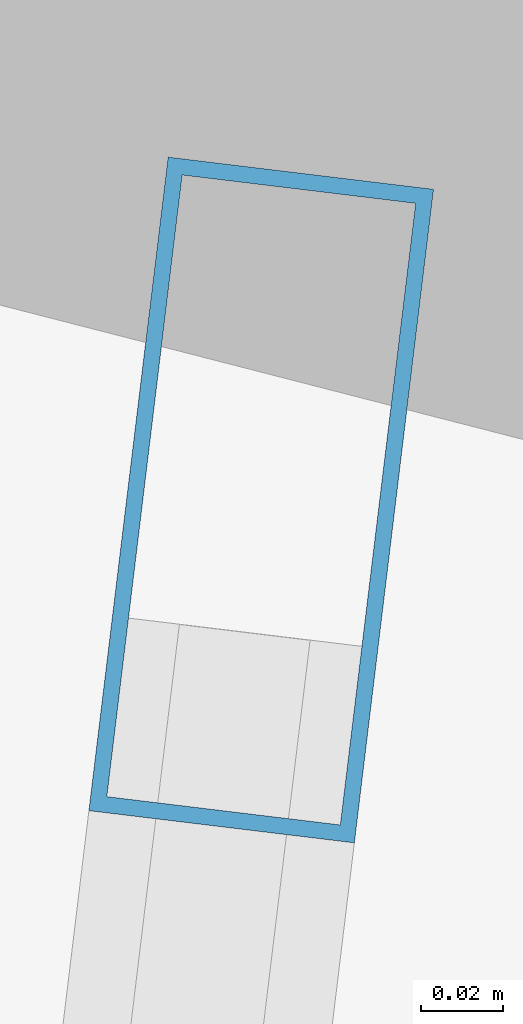
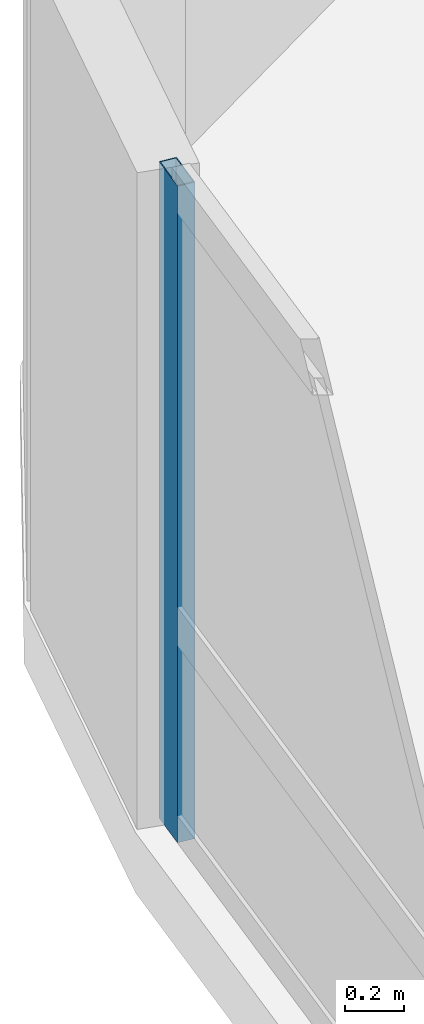
# One storey, part 12 of 26: 1 member, 1 element without a shape of its own.
"""IFC4 building model written with IfcOpenShell, lengths in metres."""

from ifc_helpers import new_model, si_unit, direction, frame, origin, origin_2d, place, context, subcontext, project, spatial, hollow_rectangle, extrude, material, layer, layer_set, material_profile, profile_set, type_object, element, aggregate, save


model = new_model("IFC4")

# Units and contexts
model_context = context("Model", 3, precision=1e-05, world=origin(), true_north=direction((0.0, 1.0)))
body_context = subcontext(model_context, "Body", "Model", "MODEL_VIEW")
ifc_project = project(units=[si_unit("LENGTHUNIT", "METRE"), si_unit("AREAUNIT", "SQUARE_METRE"), si_unit("VOLUMEUNIT", "CUBIC_METRE"), si_unit("PLANEANGLEUNIT", "RADIAN"), si_unit("MASSUNIT", "GRAM", prefix="KILO")], contexts=[model_context])

# Site, building, storey
site_placement = place(None, origin())
site = spatial("IfcSite", under=ifc_project, at=site_placement, CompositionType="ELEMENT")
building_placement = place(site_placement, origin())
building = spatial("IfcBuilding", under=site, at=building_placement, Name="Varnelok Gate Tower", CompositionType="ELEMENT")
storey_placement = place(building_placement, frame((0.0, 0.0, 147.60009765625)))
storey = spatial("IfcBuildingStorey", under=building, at=storey_placement, Name="L37", CompositionType="ELEMENT", Elevation=147.60009765625)

# Curtain wall, member
ifc_material = material(Name="Anodized Aluminum Alloy 6063-T6", Category="aluminium")
ifc_layer = layer(ifc_material, 0.179931640625)
ifc_layer_set = layer_set([ifc_layer], Name="Anodized Aluminum Alloy 6063-T6")
curtain_wall_type = type_object("IfcCurtainWallType", Name="CW3-HOTEL-VISION", PredefinedType="USERDEFINED", material=ifc_layer_set)
curtain_wall_placement = place(storey_placement, origin())
curtain_wall = element("IfcCurtainWall", 1, at=curtain_wall_placement, inside=storey, type_object=curtain_wall_type, Name="L37 West End Vision Curtain Wall", ObjectType="UNITISED CURTAIN WALL", PredefinedType="USERDEFINED")
ifc_material_profile = material_profile(ifc_material, hollow_rectangle(XDim=0.06494140625, YDim=0.159912109375, WallThickness=0.00390625, at=origin_2d()), Name="ALU160X65X4")
ifc_profile_set = profile_set([ifc_material_profile], Name="Anodized Aluminum Alloy 6063-T6")
member_type = type_object("IfcMemberType", Name="CW-MULL-160", PredefinedType="MULLION", material=ifc_profile_set)
member_placement = place(storey_placement, frame((4.57177734375, 47.596923828125, 0.0), z_axis=(0.0, 0.0, 1.0), x_axis=(-0.99273188146, 0.120347046212, 0.0)))
member = element("IfcMember", 2, at=member_placement, type_object=member_type, Name="CW3 mullion 6", PredefinedType="MULLION", context=body_context, shape_type="SweptSolid", body=[
    extrude(hollow_rectangle(XDim=0.06494140625, YDim=0.159912109375, WallThickness=0.00390625, at=origin_2d()), origin(), (0.0, 0.0, 1.0), 2.72998046875),
])
aggregate(curtain_wall, [member])

save(model, "model.ifc")
